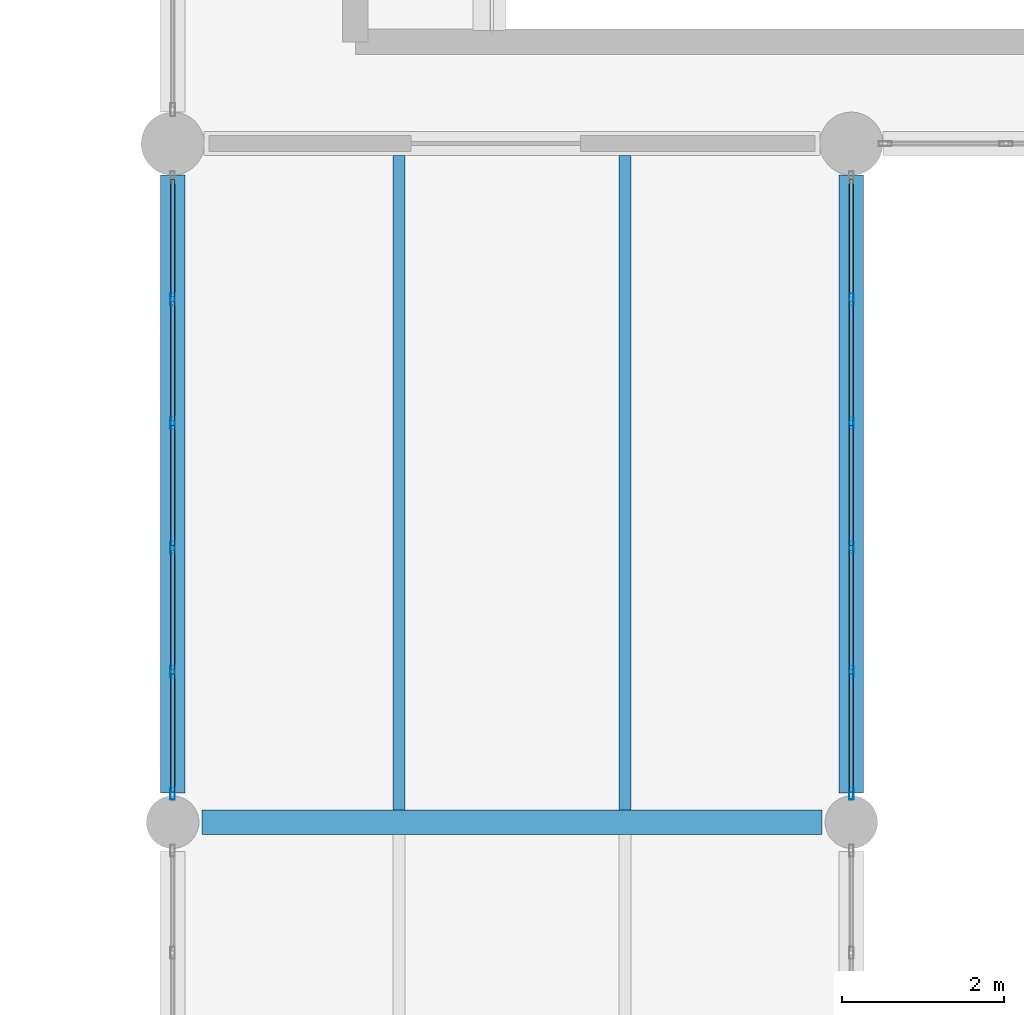
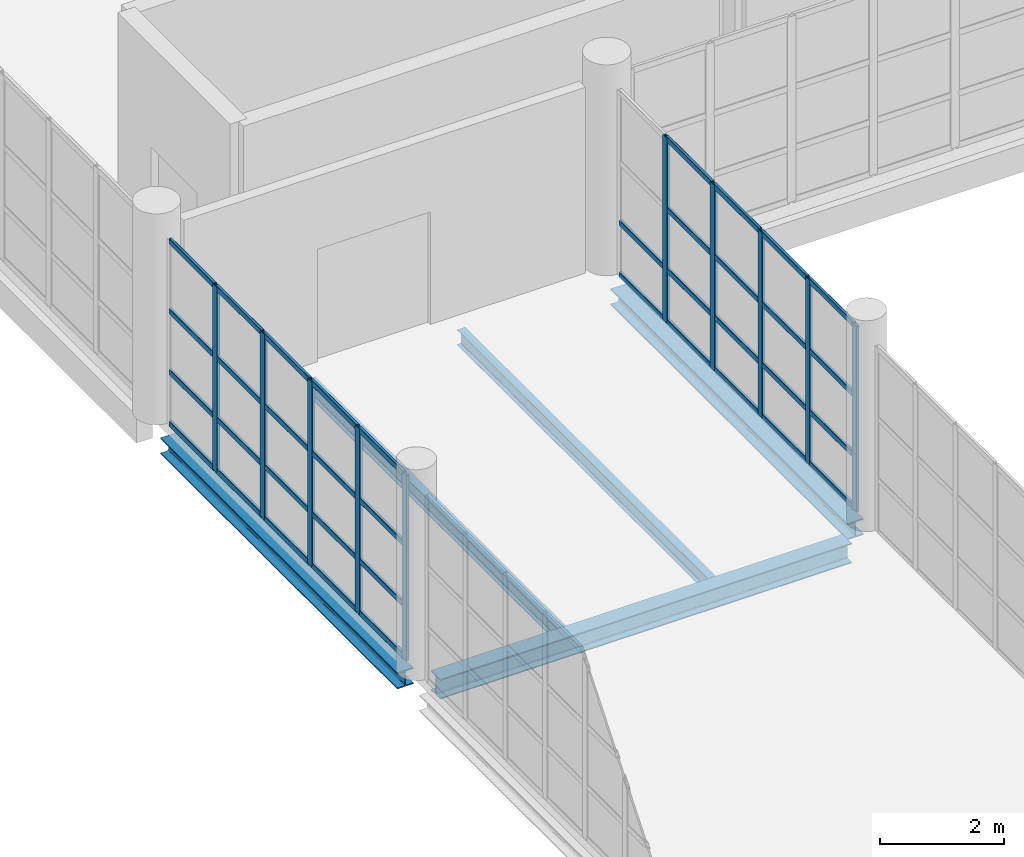
# One storey, part 60 of 177: 48 members, 5 beams, 2 elements without a shape of their own.
"""IFC4 building model written with IfcOpenShell, lengths in metres."""

from ifc_helpers import new_model, si_unit, direction, frame, origin, origin_2d, place, context, subcontext, project, spatial, hollow_rectangle, i_section, extrude, material, layer, layer_set, material_profile, profile_set, type_object, element, aggregate, save


model = new_model("IFC4")

# Units and contexts
model_context = context("Model", 3, precision=1e-05, world=origin(), true_north=direction((0.0, 1.0)))
body_context = subcontext(model_context, "Body", "Model", "MODEL_VIEW")
ifc_project = project(units=[si_unit("LENGTHUNIT", "METRE"), si_unit("AREAUNIT", "SQUARE_METRE"), si_unit("VOLUMEUNIT", "CUBIC_METRE"), si_unit("PLANEANGLEUNIT", "RADIAN"), si_unit("MASSUNIT", "GRAM", prefix="KILO"), si_unit("THERMODYNAMICTEMPERATUREUNIT", "KELVIN"), si_unit("POWERUNIT", "WATT")], contexts=[model_context])

# Site, building, storey
site_placement = place(None, origin())
site = spatial("IfcSite", under=ifc_project, at=site_placement, CompositionType="ELEMENT")
building_placement = place(site_placement, origin())
building = spatial("IfcBuilding", under=site, at=building_placement, Name="Mavoryth Pier Ferry Terminal", CompositionType="ELEMENT")
storey_placement = place(building_placement, frame((0.0, 0.0, 5.43994140625)))
storey = spatial("IfcBuildingStorey", under=building, at=storey_placement, Name="L01", CompositionType="ELEMENT", Elevation=5.43994140625)

# Beams
ifc_material_1 = material(Name="Steel S355J2", Category="steel")
ifc_material_profile_1 = material_profile(ifc_material_1, i_section(OverallWidth=0.300048828125, OverallDepth=0.389892578125, WebThickness=0.010986328125, FlangeThickness=0.01904296875, FilletRadius=0.027099609375, at=origin_2d()), Name="HEA 400", Category="steel")
ifc_profile_set_1 = profile_set([ifc_material_profile_1], Name="Steel S355J2 - HEA 400")
beam_type_1 = type_object("IfcBeamType", Name="Beam-Steel-HEA400", PredefinedType="BEAM", material=ifc_profile_set_1)
beam_placement = place(storey_placement, frame((50.760009765625, 64.0, -0.43505859375), z_axis=(1.0, 0.0, 0.0), x_axis=(0.0, 1.0, 0.0)))
element("IfcBeam", 1, at=beam_placement, inside=storey, type_object=beam_type_1, Name="Beam B01-SB04-0162", PredefinedType="BEAM", context=body_context, shape_type="SweptSolid", body=[
    extrude(i_section(OverallWidth=0.300048828125, OverallDepth=0.389892578125, WebThickness=0.010986328125, FlangeThickness=0.01904296875, FilletRadius=0.027099609375, at=origin_2d()), origin(), (0.0, 0.0, 1.0), 7.679931640625),
])
ifc_material_profile_2 = material_profile(ifc_material_1, i_section(OverallWidth=0.14990234375, OverallDepth=0.300048828125, WebThickness=0.007080078125, FlangeThickness=0.0107421875, FilletRadius=0.014892578125, at=origin_2d()), Name="IPE 300", Category="steel")
ifc_profile_set_2 = profile_set([ifc_material_profile_2], Name="Steel S355J2 - IPE 300")
beam_type_2 = type_object("IfcBeamType", Name="Joist-Steel-IPE300", PredefinedType="JOIST", material=ifc_profile_set_2)
for number, where, z_axis, x_axis, name in (
    (2, (53.199951171875, 64.14990234375, -0.389892578125), (0.0, 1.0, 0.0), (-1.0, 0.0, 0.0), "Beam B01-SJ04-0178"),
    (3, (56.0, 64.14990234375, -0.389892578125), (0.0, 1.0, 0.0), (-1.0, 0.0, 0.0), "Beam B01-SJ04-0179"),
):
    element("IfcBeam", number, at=place(storey_placement, frame(where, z_axis=z_axis, x_axis=x_axis)), inside=storey, type_object=beam_type_2, Name=name, PredefinedType="JOIST", context=body_context, shape_type="SweptSolid", body=[
        extrude(i_section(OverallWidth=0.14990234375, OverallDepth=0.300048828125, WebThickness=0.007080078125, FlangeThickness=0.0107421875, FilletRadius=0.014892578125, at=origin_2d()), origin(), (0.0, 0.0, 1.0), 8.10009765625),
    ])

# Curtain wall, members
ifc_material_2 = material(Name="Anodised Aluminium and Solar-Control Low-E Glass", Category="aluminium")
ifc_layer = layer(ifc_material_2, 0.1201171875, Name="Anodised Aluminium and Solar-Control Low-E Glass", Category="aluminium")
ifc_layer_set = layer_set([ifc_layer], Name="Anodised Aluminium and Solar-Control Low-E Glass - CW-BridgeLink-Mod1400")
curtain_wall_type = type_object("IfcCurtainWallType", Name="CW-BridgeLink-Mod1400", PredefinedType="USERDEFINED", material=ifc_layer_set)
curtain_wall_1_placement = place(storey_placement, origin())
curtain_wall_1 = element("IfcCurtainWall", 4, at=curtain_wall_1_placement, inside=storey, type_object=curtain_wall_type, Name="Curtain Wall CW-0111-108", ObjectType="UNITISED CURTAIN WALL", PredefinedType="USERDEFINED")
ifc_material_3 = material(Name="Anodised Aluminium EN AW-6063", Category="aluminium")
ifc_material_profile_3 = material_profile(ifc_material_3, hollow_rectangle(XDim=0.054931640625, YDim=0.14990234375, WallThickness=0.00390625, InnerFilletRadius=0.00390625, OuterFilletRadius=0.008056640625, at=origin_2d()), Name="AL-MULL 150x55x4", Category="aluminium")
ifc_profile_set_3 = profile_set([ifc_material_profile_3], Name="Anodised Aluminium EN AW-6063 - AL-MULL 150x55x4")
member_type_1 = type_object("IfcMemberType", Name="Mullion-Alum-150x55", PredefinedType="MULLION", material=ifc_profile_set_3)
member_1_placement = place(storey_placement, frame((50.39990234375, 70.472900390625, 0.0), z_axis=(0.0, 0.0, 1.0), x_axis=(1.0, 0.0, 0.0)))
member_1 = element("IfcMember", 5, at=member_1_placement, type_object=member_type_1, Name="CW08 mullion 2", PredefinedType="MULLION", context=body_context, shape_type="SweptSolid", body=[
    extrude(hollow_rectangle(XDim=0.054931640625, YDim=0.14990234375, WallThickness=0.00390625, InnerFilletRadius=0.00390625, OuterFilletRadius=0.008056640625, at=origin_2d()), origin(), (0.0, 0.0, 1.0), 3.655029296875),
])
member_2_placement = place(storey_placement, frame((50.39990234375, 68.93603515625, 0.0), z_axis=(0.0, 0.0, 1.0), x_axis=(1.0, 0.0, 0.0)))
member_2 = element("IfcMember", 6, at=member_2_placement, type_object=member_type_1, Name="CW08 mullion 3", PredefinedType="MULLION", context=body_context, shape_type="SweptSolid", body=[
    extrude(hollow_rectangle(XDim=0.054931640625, YDim=0.14990234375, WallThickness=0.00390625, InnerFilletRadius=0.00390625, OuterFilletRadius=0.008056640625, at=origin_2d()), origin(), (0.0, 0.0, 1.0), 3.655029296875),
])
member_3_placement = place(storey_placement, frame((50.39990234375, 67.39892578125, 0.0), z_axis=(0.0, 0.0, 1.0), x_axis=(1.0, 0.0, 0.0)))
member_3 = element("IfcMember", 7, at=member_3_placement, type_object=member_type_1, Name="CW08 mullion 4", PredefinedType="MULLION", context=body_context, shape_type="SweptSolid", body=[
    extrude(hollow_rectangle(XDim=0.054931640625, YDim=0.14990234375, WallThickness=0.00390625, InnerFilletRadius=0.00390625, OuterFilletRadius=0.008056640625, at=origin_2d()), origin(), (0.0, 0.0, 1.0), 3.655029296875),
])
member_4_placement = place(storey_placement, frame((50.39990234375, 65.862060546875, 0.0), z_axis=(0.0, 0.0, 1.0), x_axis=(1.0, 0.0, 0.0)))
member_4 = element("IfcMember", 8, at=member_4_placement, type_object=member_type_1, Name="CW08 mullion 5", PredefinedType="MULLION", context=body_context, shape_type="SweptSolid", body=[
    extrude(hollow_rectangle(XDim=0.054931640625, YDim=0.14990234375, WallThickness=0.00390625, InnerFilletRadius=0.00390625, OuterFilletRadius=0.008056640625, at=origin_2d()), origin(), (0.0, 0.0, 1.0), 3.655029296875),
])
member_5_placement = place(storey_placement, frame((50.39990234375, 64.3525390625, 0.0), z_axis=(0.0, 0.0, 1.0), x_axis=(1.0, 0.0, 0.0)))
member_5 = element("IfcMember", 9, at=member_5_placement, type_object=member_type_1, Name="CW08 mullion 6", PredefinedType="MULLION", context=body_context, shape_type="SweptSolid", body=[
    extrude(hollow_rectangle(XDim=0.054931640625, YDim=0.14990234375, WallThickness=0.00390625, InnerFilletRadius=0.00390625, OuterFilletRadius=0.008056640625, at=origin_2d()), origin(), (0.0, 0.0, 1.0), 3.655029296875),
])

curtain_wall_2_placement = place(storey_placement, origin())
curtain_wall_2 = element("IfcCurtainWall", 10, at=curtain_wall_2_placement, inside=storey, type_object=curtain_wall_type, Name="Curtain Wall CW-0111-109", ObjectType="UNITISED CURTAIN WALL", PredefinedType="USERDEFINED")
member_6_placement = place(storey_placement, frame((58.800048828125, 64.3525390625, 0.0), z_axis=(0.0, 0.0, 1.0), x_axis=(-1.0, 0.0, 0.0)))
member_6 = element("IfcMember", 11, at=member_6_placement, type_object=member_type_1, Name="CW08 mullion 1", PredefinedType="MULLION", context=body_context, shape_type="SweptSolid", body=[
    extrude(hollow_rectangle(XDim=0.054931640625, YDim=0.14990234375, WallThickness=0.00390625, InnerFilletRadius=0.00390625, OuterFilletRadius=0.008056640625, at=origin_2d()), origin(), (0.0, 0.0, 1.0), 3.655029296875),
])
member_7_placement = place(storey_placement, frame((58.800048828125, 65.862060546875, 0.0), z_axis=(0.0, 0.0, 1.0), x_axis=(-1.0, 0.0, 0.0)))
member_7 = element("IfcMember", 12, at=member_7_placement, type_object=member_type_1, Name="CW08 mullion 2", PredefinedType="MULLION", context=body_context, shape_type="SweptSolid", body=[
    extrude(hollow_rectangle(XDim=0.054931640625, YDim=0.14990234375, WallThickness=0.00390625, InnerFilletRadius=0.00390625, OuterFilletRadius=0.008056640625, at=origin_2d()), origin(), (0.0, 0.0, 1.0), 3.655029296875),
])
member_8_placement = place(storey_placement, frame((58.800048828125, 67.39892578125, 0.0), z_axis=(0.0, 0.0, 1.0), x_axis=(-1.0, 0.0, 0.0)))
member_8 = element("IfcMember", 13, at=member_8_placement, type_object=member_type_1, Name="CW08 mullion 3", PredefinedType="MULLION", context=body_context, shape_type="SweptSolid", body=[
    extrude(hollow_rectangle(XDim=0.054931640625, YDim=0.14990234375, WallThickness=0.00390625, InnerFilletRadius=0.00390625, OuterFilletRadius=0.008056640625, at=origin_2d()), origin(), (0.0, 0.0, 1.0), 3.655029296875),
])
member_9_placement = place(storey_placement, frame((58.800048828125, 68.93603515625, 0.0), z_axis=(0.0, 0.0, 1.0), x_axis=(-1.0, 0.0, 0.0)))
member_9 = element("IfcMember", 14, at=member_9_placement, type_object=member_type_1, Name="CW08 mullion 4", PredefinedType="MULLION", context=body_context, shape_type="SweptSolid", body=[
    extrude(hollow_rectangle(XDim=0.054931640625, YDim=0.14990234375, WallThickness=0.00390625, InnerFilletRadius=0.00390625, OuterFilletRadius=0.008056640625, at=origin_2d()), origin(), (0.0, 0.0, 1.0), 3.655029296875),
])
member_10_placement = place(storey_placement, frame((58.800048828125, 70.472900390625, 0.0), z_axis=(0.0, 0.0, 1.0), x_axis=(-1.0, 0.0, 0.0)))
member_10 = element("IfcMember", 15, at=member_10_placement, type_object=member_type_1, Name="CW08 mullion 5", PredefinedType="MULLION", context=body_context, shape_type="SweptSolid", body=[
    extrude(hollow_rectangle(XDim=0.054931640625, YDim=0.14990234375, WallThickness=0.00390625, InnerFilletRadius=0.00390625, OuterFilletRadius=0.008056640625, at=origin_2d()), origin(), (0.0, 0.0, 1.0), 3.655029296875),
])

# Beams
ifc_material_profile_4 = material_profile(ifc_material_1, i_section(OverallWidth=0.300048828125, OverallDepth=0.320068359375, WebThickness=0.011474609375, FlangeThickness=0.0205078125, FilletRadius=0.027099609375, at=origin_2d()), Name="HEB 320", Category="steel")
ifc_profile_set_4 = profile_set([ifc_material_profile_4], Name="Steel S355J2 - HEB 320")
beam_type_3 = type_object("IfcBeamType", Name="Spandrel-Steel-HEB320", PredefinedType="SPANDREL", material=ifc_profile_set_4)
for number, where, z_axis, x_axis, name in (
    (16, (50.39990234375, 64.360107421875, -0.39990234375), (0.0, 1.0, 0.0), (-1.0, 0.0, 0.0), "Beam B01-SP04-0167"),
    (17, (58.800048828125, 64.360107421875, -0.39990234375), (0.0, 1.0, 0.0), (-1.0, 0.0, 0.0), "Beam B01-SP04-0171"),
):
    element("IfcBeam", number, at=place(storey_placement, frame(where, z_axis=z_axis, x_axis=x_axis)), inside=storey, type_object=beam_type_3, Name=name, PredefinedType="SPANDREL", context=body_context, shape_type="SweptSolid", body=[
        extrude(i_section(OverallWidth=0.300048828125, OverallDepth=0.320068359375, WebThickness=0.011474609375, FlangeThickness=0.0205078125, FilletRadius=0.027099609375, at=origin_2d()), origin(), (0.0, 0.0, 1.0), 7.64990234375),
    ])

# Member
ifc_material_profile_5 = material_profile(ifc_material_3, hollow_rectangle(XDim=0.054931640625, YDim=0.110107421875, WallThickness=0.00390625, InnerFilletRadius=0.00390625, OuterFilletRadius=0.008056640625, at=origin_2d()), Name="AL-TRAN 110x55x4", Category="aluminium")
ifc_profile_set_5 = profile_set([ifc_material_profile_5], Name="Anodised Aluminium EN AW-6063 - AL-TRAN 110x55x4")
member_type_2 = type_object("IfcMemberType", Name="Transom-Alum-110x55", PredefinedType="USERDEFINED", material=ifc_profile_set_5)
member_11_placement = place(storey_placement, frame((50.39990234375, 71.955078125, 0.027587890625), z_axis=(0.0, -1.0, 0.0), x_axis=(1.0, 0.0, 0.0)))
member_11 = element("IfcMember", 18, at=member_11_placement, type_object=member_type_2, Name="CW08 transom 1.1", ObjectType="TRANSOM", PredefinedType="USERDEFINED", context=body_context, shape_type="SweptSolid", body=[
    extrude(hollow_rectangle(XDim=0.054931640625, YDim=0.110107421875, WallThickness=0.00390625, InnerFilletRadius=0.00390625, OuterFilletRadius=0.008056640625, at=origin_2d()), origin(), (0.0, 0.0, 1.0), 1.45458984375),
])

member_12_placement = place(storey_placement, frame((50.39990234375, 71.955078125, 1.050048828125), z_axis=(0.0, -1.0, 0.0), x_axis=(1.0, 0.0, 0.0)))
member_12 = element("IfcMember", 19, at=member_12_placement, type_object=member_type_2, Name="CW08 transom 1.2", ObjectType="TRANSOM", PredefinedType="USERDEFINED", context=body_context, shape_type="SweptSolid", body=[
    extrude(hollow_rectangle(XDim=0.054931640625, YDim=0.110107421875, WallThickness=0.00390625, InnerFilletRadius=0.00390625, OuterFilletRadius=0.008056640625, at=origin_2d()), origin(), (0.0, 0.0, 1.0), 1.45458984375),
])

member_13_placement = place(storey_placement, frame((50.39990234375, 71.955078125, 2.25), z_axis=(0.0, -1.0, 0.0), x_axis=(1.0, 0.0, 0.0)))
member_13 = element("IfcMember", 20, at=member_13_placement, type_object=member_type_2, Name="CW08 transom 1.3", ObjectType="TRANSOM", PredefinedType="USERDEFINED", context=body_context, shape_type="SweptSolid", body=[
    extrude(hollow_rectangle(XDim=0.054931640625, YDim=0.110107421875, WallThickness=0.00390625, InnerFilletRadius=0.00390625, OuterFilletRadius=0.008056640625, at=origin_2d()), origin(), (0.0, 0.0, 1.0), 1.45458984375),
])

member_14_placement = place(storey_placement, frame((50.39990234375, 71.955078125, 3.62744140625), z_axis=(0.0, -1.0, 0.0), x_axis=(1.0, 0.0, 0.0)))
member_14 = element("IfcMember", 21, at=member_14_placement, type_object=member_type_2, Name="CW08 transom 1.4", ObjectType="TRANSOM", PredefinedType="USERDEFINED", context=body_context, shape_type="SweptSolid", body=[
    extrude(hollow_rectangle(XDim=0.054931640625, YDim=0.110107421875, WallThickness=0.00390625, InnerFilletRadius=0.00390625, OuterFilletRadius=0.008056640625, at=origin_2d()), origin(), (0.0, 0.0, 1.0), 1.45458984375),
])

member_15_placement = place(storey_placement, frame((50.39990234375, 70.445556640625, 0.027587890625), z_axis=(0.0, -1.0, 0.0), x_axis=(1.0, 0.0, 0.0)))
member_15 = element("IfcMember", 22, at=member_15_placement, type_object=member_type_2, Name="CW08 transom 2.1", ObjectType="TRANSOM", PredefinedType="USERDEFINED", context=body_context, shape_type="SweptSolid", body=[
    extrude(hollow_rectangle(XDim=0.054931640625, YDim=0.110107421875, WallThickness=0.00390625, InnerFilletRadius=0.00390625, OuterFilletRadius=0.008056640625, at=origin_2d()), origin(), (0.0, 0.0, 1.0), 1.482177734375),
])

member_16_placement = place(storey_placement, frame((50.39990234375, 70.445556640625, 1.050048828125), z_axis=(0.0, -1.0, 0.0), x_axis=(1.0, 0.0, 0.0)))
member_16 = element("IfcMember", 23, at=member_16_placement, type_object=member_type_2, Name="CW08 transom 2.2", ObjectType="TRANSOM", PredefinedType="USERDEFINED", context=body_context, shape_type="SweptSolid", body=[
    extrude(hollow_rectangle(XDim=0.054931640625, YDim=0.110107421875, WallThickness=0.00390625, InnerFilletRadius=0.00390625, OuterFilletRadius=0.008056640625, at=origin_2d()), origin(), (0.0, 0.0, 1.0), 1.482177734375),
])

member_17_placement = place(storey_placement, frame((50.39990234375, 70.445556640625, 2.25), z_axis=(0.0, -1.0, 0.0), x_axis=(1.0, 0.0, 0.0)))
member_17 = element("IfcMember", 24, at=member_17_placement, type_object=member_type_2, Name="CW08 transom 2.3", ObjectType="TRANSOM", PredefinedType="USERDEFINED", context=body_context, shape_type="SweptSolid", body=[
    extrude(hollow_rectangle(XDim=0.054931640625, YDim=0.110107421875, WallThickness=0.00390625, InnerFilletRadius=0.00390625, OuterFilletRadius=0.008056640625, at=origin_2d()), origin(), (0.0, 0.0, 1.0), 1.482177734375),
])

member_18_placement = place(storey_placement, frame((50.39990234375, 70.445556640625, 3.62744140625), z_axis=(0.0, -1.0, 0.0), x_axis=(1.0, 0.0, 0.0)))
member_18 = element("IfcMember", 25, at=member_18_placement, type_object=member_type_2, Name="CW08 transom 2.4", ObjectType="TRANSOM", PredefinedType="USERDEFINED", context=body_context, shape_type="SweptSolid", body=[
    extrude(hollow_rectangle(XDim=0.054931640625, YDim=0.110107421875, WallThickness=0.00390625, InnerFilletRadius=0.00390625, OuterFilletRadius=0.008056640625, at=origin_2d()), origin(), (0.0, 0.0, 1.0), 1.482177734375),
])

member_19_placement = place(storey_placement, frame((50.39990234375, 68.908447265625, 0.027587890625), z_axis=(0.0, -1.0, 0.0), x_axis=(1.0, 0.0, 0.0)))
member_19 = element("IfcMember", 26, at=member_19_placement, type_object=member_type_2, Name="CW08 transom 3.1", ObjectType="TRANSOM", PredefinedType="USERDEFINED", context=body_context, shape_type="SweptSolid", body=[
    extrude(hollow_rectangle(XDim=0.054931640625, YDim=0.110107421875, WallThickness=0.00390625, InnerFilletRadius=0.00390625, OuterFilletRadius=0.008056640625, at=origin_2d()), origin(), (0.0, 0.0, 1.0), 1.48193359375),
])

member_20_placement = place(storey_placement, frame((50.39990234375, 68.908447265625, 1.050048828125), z_axis=(0.0, -1.0, 0.0), x_axis=(1.0, 0.0, 0.0)))
member_20 = element("IfcMember", 27, at=member_20_placement, type_object=member_type_2, Name="CW08 transom 3.2", ObjectType="TRANSOM", PredefinedType="USERDEFINED", context=body_context, shape_type="SweptSolid", body=[
    extrude(hollow_rectangle(XDim=0.054931640625, YDim=0.110107421875, WallThickness=0.00390625, InnerFilletRadius=0.00390625, OuterFilletRadius=0.008056640625, at=origin_2d()), origin(), (0.0, 0.0, 1.0), 1.48193359375),
])

member_21_placement = place(storey_placement, frame((50.39990234375, 68.908447265625, 2.25), z_axis=(0.0, -1.0, 0.0), x_axis=(1.0, 0.0, 0.0)))
member_21 = element("IfcMember", 28, at=member_21_placement, type_object=member_type_2, Name="CW08 transom 3.3", ObjectType="TRANSOM", PredefinedType="USERDEFINED", context=body_context, shape_type="SweptSolid", body=[
    extrude(hollow_rectangle(XDim=0.054931640625, YDim=0.110107421875, WallThickness=0.00390625, InnerFilletRadius=0.00390625, OuterFilletRadius=0.008056640625, at=origin_2d()), origin(), (0.0, 0.0, 1.0), 1.48193359375),
])

member_22_placement = place(storey_placement, frame((50.39990234375, 68.908447265625, 3.62744140625), z_axis=(0.0, -1.0, 0.0), x_axis=(1.0, 0.0, 0.0)))
member_22 = element("IfcMember", 29, at=member_22_placement, type_object=member_type_2, Name="CW08 transom 3.4", ObjectType="TRANSOM", PredefinedType="USERDEFINED", context=body_context, shape_type="SweptSolid", body=[
    extrude(hollow_rectangle(XDim=0.054931640625, YDim=0.110107421875, WallThickness=0.00390625, InnerFilletRadius=0.00390625, OuterFilletRadius=0.008056640625, at=origin_2d()), origin(), (0.0, 0.0, 1.0), 1.48193359375),
])

member_23_placement = place(storey_placement, frame((50.39990234375, 67.37158203125, 0.027587890625), z_axis=(0.0, -1.0, 0.0), x_axis=(1.0, 0.0, 0.0)))
member_23 = element("IfcMember", 30, at=member_23_placement, type_object=member_type_2, Name="CW08 transom 4.1", ObjectType="TRANSOM", PredefinedType="USERDEFINED", context=body_context, shape_type="SweptSolid", body=[
    extrude(hollow_rectangle(XDim=0.054931640625, YDim=0.110107421875, WallThickness=0.00390625, InnerFilletRadius=0.00390625, OuterFilletRadius=0.008056640625, at=origin_2d()), origin(), (0.0, 0.0, 1.0), 1.482177734375),
])

member_24_placement = place(storey_placement, frame((50.39990234375, 67.37158203125, 1.050048828125), z_axis=(0.0, -1.0, 0.0), x_axis=(1.0, 0.0, 0.0)))
member_24 = element("IfcMember", 31, at=member_24_placement, type_object=member_type_2, Name="CW08 transom 4.2", ObjectType="TRANSOM", PredefinedType="USERDEFINED", context=body_context, shape_type="SweptSolid", body=[
    extrude(hollow_rectangle(XDim=0.054931640625, YDim=0.110107421875, WallThickness=0.00390625, InnerFilletRadius=0.00390625, OuterFilletRadius=0.008056640625, at=origin_2d()), origin(), (0.0, 0.0, 1.0), 1.482177734375),
])

member_25_placement = place(storey_placement, frame((50.39990234375, 67.37158203125, 2.25), z_axis=(0.0, -1.0, 0.0), x_axis=(1.0, 0.0, 0.0)))
member_25 = element("IfcMember", 32, at=member_25_placement, type_object=member_type_2, Name="CW08 transom 4.3", ObjectType="TRANSOM", PredefinedType="USERDEFINED", context=body_context, shape_type="SweptSolid", body=[
    extrude(hollow_rectangle(XDim=0.054931640625, YDim=0.110107421875, WallThickness=0.00390625, InnerFilletRadius=0.00390625, OuterFilletRadius=0.008056640625, at=origin_2d()), origin(), (0.0, 0.0, 1.0), 1.482177734375),
])

member_26_placement = place(storey_placement, frame((50.39990234375, 67.37158203125, 3.62744140625), z_axis=(0.0, -1.0, 0.0), x_axis=(1.0, 0.0, 0.0)))
member_26 = element("IfcMember", 33, at=member_26_placement, type_object=member_type_2, Name="CW08 transom 4.4", ObjectType="TRANSOM", PredefinedType="USERDEFINED", context=body_context, shape_type="SweptSolid", body=[
    extrude(hollow_rectangle(XDim=0.054931640625, YDim=0.110107421875, WallThickness=0.00390625, InnerFilletRadius=0.00390625, OuterFilletRadius=0.008056640625, at=origin_2d()), origin(), (0.0, 0.0, 1.0), 1.482177734375),
])

member_27_placement = place(storey_placement, frame((50.39990234375, 65.83447265625, 0.027587890625), z_axis=(0.0, -1.0, 0.0), x_axis=(1.0, 0.0, 0.0)))
member_27 = element("IfcMember", 34, at=member_27_placement, type_object=member_type_2, Name="CW08 transom 5.1", ObjectType="TRANSOM", PredefinedType="USERDEFINED", context=body_context, shape_type="SweptSolid", body=[
    extrude(hollow_rectangle(XDim=0.054931640625, YDim=0.110107421875, WallThickness=0.00390625, InnerFilletRadius=0.00390625, OuterFilletRadius=0.008056640625, at=origin_2d()), origin(), (0.0, 0.0, 1.0), 1.45458984375),
])

member_28_placement = place(storey_placement, frame((50.39990234375, 65.83447265625, 1.050048828125), z_axis=(0.0, -1.0, 0.0), x_axis=(1.0, 0.0, 0.0)))
member_28 = element("IfcMember", 35, at=member_28_placement, type_object=member_type_2, Name="CW08 transom 5.2", ObjectType="TRANSOM", PredefinedType="USERDEFINED", context=body_context, shape_type="SweptSolid", body=[
    extrude(hollow_rectangle(XDim=0.054931640625, YDim=0.110107421875, WallThickness=0.00390625, InnerFilletRadius=0.00390625, OuterFilletRadius=0.008056640625, at=origin_2d()), origin(), (0.0, 0.0, 1.0), 1.45458984375),
])

member_29_placement = place(storey_placement, frame((50.39990234375, 65.83447265625, 2.25), z_axis=(0.0, -1.0, 0.0), x_axis=(1.0, 0.0, 0.0)))
member_29 = element("IfcMember", 36, at=member_29_placement, type_object=member_type_2, Name="CW08 transom 5.3", ObjectType="TRANSOM", PredefinedType="USERDEFINED", context=body_context, shape_type="SweptSolid", body=[
    extrude(hollow_rectangle(XDim=0.054931640625, YDim=0.110107421875, WallThickness=0.00390625, InnerFilletRadius=0.00390625, OuterFilletRadius=0.008056640625, at=origin_2d()), origin(), (0.0, 0.0, 1.0), 1.45458984375),
])

member_30_placement = place(storey_placement, frame((50.39990234375, 65.83447265625, 3.62744140625), z_axis=(0.0, -1.0, 0.0), x_axis=(1.0, 0.0, 0.0)))
member_30 = element("IfcMember", 37, at=member_30_placement, type_object=member_type_2, Name="CW08 transom 5.4", ObjectType="TRANSOM", PredefinedType="USERDEFINED", context=body_context, shape_type="SweptSolid", body=[
    extrude(hollow_rectangle(XDim=0.054931640625, YDim=0.110107421875, WallThickness=0.00390625, InnerFilletRadius=0.00390625, OuterFilletRadius=0.008056640625, at=origin_2d()), origin(), (0.0, 0.0, 1.0), 1.45458984375),
])

aggregate(curtain_wall_1, [member_1, member_2, member_3, member_4, member_5, member_11, member_12, member_13, member_14, member_15, member_16, member_17, member_18, member_19, member_20, member_21, member_22, member_23, member_24, member_25, member_26, member_27, member_28, member_29, member_30])

member_31_placement = place(storey_placement, frame((58.800048828125, 64.3798828125, 0.027587890625), z_axis=(0.0, 1.0, 0.0), x_axis=(-1.0, 0.0, 0.0)))
member_31 = element("IfcMember", 38, at=member_31_placement, type_object=member_type_2, Name="CW08 transom 1.1", ObjectType="TRANSOM", PredefinedType="USERDEFINED", context=body_context, shape_type="SweptSolid", body=[
    extrude(hollow_rectangle(XDim=0.054931640625, YDim=0.110107421875, WallThickness=0.00390625, InnerFilletRadius=0.00390625, OuterFilletRadius=0.008056640625, at=origin_2d()), origin(), (0.0, 0.0, 1.0), 1.45458984375),
])

member_32_placement = place(storey_placement, frame((58.800048828125, 64.3798828125, 1.050048828125), z_axis=(0.0, 1.0, 0.0), x_axis=(-1.0, 0.0, 0.0)))
member_32 = element("IfcMember", 39, at=member_32_placement, type_object=member_type_2, Name="CW08 transom 1.2", ObjectType="TRANSOM", PredefinedType="USERDEFINED", context=body_context, shape_type="SweptSolid", body=[
    extrude(hollow_rectangle(XDim=0.054931640625, YDim=0.110107421875, WallThickness=0.00390625, InnerFilletRadius=0.00390625, OuterFilletRadius=0.008056640625, at=origin_2d()), origin(), (0.0, 0.0, 1.0), 1.45458984375),
])

member_33_placement = place(storey_placement, frame((58.800048828125, 64.3798828125, 2.25), z_axis=(0.0, 1.0, 0.0), x_axis=(-1.0, 0.0, 0.0)))
member_33 = element("IfcMember", 40, at=member_33_placement, type_object=member_type_2, Name="CW08 transom 1.3", ObjectType="TRANSOM", PredefinedType="USERDEFINED", context=body_context, shape_type="SweptSolid", body=[
    extrude(hollow_rectangle(XDim=0.054931640625, YDim=0.110107421875, WallThickness=0.00390625, InnerFilletRadius=0.00390625, OuterFilletRadius=0.008056640625, at=origin_2d()), origin(), (0.0, 0.0, 1.0), 1.45458984375),
])

member_34_placement = place(storey_placement, frame((58.800048828125, 64.3798828125, 3.62744140625), z_axis=(0.0, 1.0, 0.0), x_axis=(-1.0, 0.0, 0.0)))
member_34 = element("IfcMember", 41, at=member_34_placement, type_object=member_type_2, Name="CW08 transom 1.4", ObjectType="TRANSOM", PredefinedType="USERDEFINED", context=body_context, shape_type="SweptSolid", body=[
    extrude(hollow_rectangle(XDim=0.054931640625, YDim=0.110107421875, WallThickness=0.00390625, InnerFilletRadius=0.00390625, OuterFilletRadius=0.008056640625, at=origin_2d()), origin(), (0.0, 0.0, 1.0), 1.45458984375),
])

member_35_placement = place(storey_placement, frame((58.800048828125, 65.889404296875, 0.027587890625), z_axis=(0.0, 1.0, 0.0), x_axis=(-1.0, 0.0, 0.0)))
member_35 = element("IfcMember", 42, at=member_35_placement, type_object=member_type_2, Name="CW08 transom 2.1", ObjectType="TRANSOM", PredefinedType="USERDEFINED", context=body_context, shape_type="SweptSolid", body=[
    extrude(hollow_rectangle(XDim=0.054931640625, YDim=0.110107421875, WallThickness=0.00390625, InnerFilletRadius=0.00390625, OuterFilletRadius=0.008056640625, at=origin_2d()), origin(), (0.0, 0.0, 1.0), 1.482177734375),
])

member_36_placement = place(storey_placement, frame((58.800048828125, 65.889404296875, 1.050048828125), z_axis=(0.0, 1.0, 0.0), x_axis=(-1.0, 0.0, 0.0)))
member_36 = element("IfcMember", 43, at=member_36_placement, type_object=member_type_2, Name="CW08 transom 2.2", ObjectType="TRANSOM", PredefinedType="USERDEFINED", context=body_context, shape_type="SweptSolid", body=[
    extrude(hollow_rectangle(XDim=0.054931640625, YDim=0.110107421875, WallThickness=0.00390625, InnerFilletRadius=0.00390625, OuterFilletRadius=0.008056640625, at=origin_2d()), origin(), (0.0, 0.0, 1.0), 1.482177734375),
])

member_37_placement = place(storey_placement, frame((58.800048828125, 65.889404296875, 2.25), z_axis=(0.0, 1.0, 0.0), x_axis=(-1.0, 0.0, 0.0)))
member_37 = element("IfcMember", 44, at=member_37_placement, type_object=member_type_2, Name="CW08 transom 2.3", ObjectType="TRANSOM", PredefinedType="USERDEFINED", context=body_context, shape_type="SweptSolid", body=[
    extrude(hollow_rectangle(XDim=0.054931640625, YDim=0.110107421875, WallThickness=0.00390625, InnerFilletRadius=0.00390625, OuterFilletRadius=0.008056640625, at=origin_2d()), origin(), (0.0, 0.0, 1.0), 1.482177734375),
])

member_38_placement = place(storey_placement, frame((58.800048828125, 65.889404296875, 3.62744140625), z_axis=(0.0, 1.0, 0.0), x_axis=(-1.0, 0.0, 0.0)))
member_38 = element("IfcMember", 45, at=member_38_placement, type_object=member_type_2, Name="CW08 transom 2.4", ObjectType="TRANSOM", PredefinedType="USERDEFINED", context=body_context, shape_type="SweptSolid", body=[
    extrude(hollow_rectangle(XDim=0.054931640625, YDim=0.110107421875, WallThickness=0.00390625, InnerFilletRadius=0.00390625, OuterFilletRadius=0.008056640625, at=origin_2d()), origin(), (0.0, 0.0, 1.0), 1.482177734375),
])

member_39_placement = place(storey_placement, frame((58.800048828125, 67.426513671875, 0.027587890625), z_axis=(0.0, 1.0, 0.0), x_axis=(-1.0, 0.0, 0.0)))
member_39 = element("IfcMember", 46, at=member_39_placement, type_object=member_type_2, Name="CW08 transom 3.1", ObjectType="TRANSOM", PredefinedType="USERDEFINED", context=body_context, shape_type="SweptSolid", body=[
    extrude(hollow_rectangle(XDim=0.054931640625, YDim=0.110107421875, WallThickness=0.00390625, InnerFilletRadius=0.00390625, OuterFilletRadius=0.008056640625, at=origin_2d()), origin(), (0.0, 0.0, 1.0), 1.48193359375),
])

member_40_placement = place(storey_placement, frame((58.800048828125, 67.426513671875, 1.050048828125), z_axis=(0.0, 1.0, 0.0), x_axis=(-1.0, 0.0, 0.0)))
member_40 = element("IfcMember", 47, at=member_40_placement, type_object=member_type_2, Name="CW08 transom 3.2", ObjectType="TRANSOM", PredefinedType="USERDEFINED", context=body_context, shape_type="SweptSolid", body=[
    extrude(hollow_rectangle(XDim=0.054931640625, YDim=0.110107421875, WallThickness=0.00390625, InnerFilletRadius=0.00390625, OuterFilletRadius=0.008056640625, at=origin_2d()), origin(), (0.0, 0.0, 1.0), 1.48193359375),
])

member_41_placement = place(storey_placement, frame((58.800048828125, 67.426513671875, 2.25), z_axis=(0.0, 1.0, 0.0), x_axis=(-1.0, 0.0, 0.0)))
member_41 = element("IfcMember", 48, at=member_41_placement, type_object=member_type_2, Name="CW08 transom 3.3", ObjectType="TRANSOM", PredefinedType="USERDEFINED", context=body_context, shape_type="SweptSolid", body=[
    extrude(hollow_rectangle(XDim=0.054931640625, YDim=0.110107421875, WallThickness=0.00390625, InnerFilletRadius=0.00390625, OuterFilletRadius=0.008056640625, at=origin_2d()), origin(), (0.0, 0.0, 1.0), 1.48193359375),
])

member_42_placement = place(storey_placement, frame((58.800048828125, 67.426513671875, 3.62744140625), z_axis=(0.0, 1.0, 0.0), x_axis=(-1.0, 0.0, 0.0)))
member_42 = element("IfcMember", 49, at=member_42_placement, type_object=member_type_2, Name="CW08 transom 3.4", ObjectType="TRANSOM", PredefinedType="USERDEFINED", context=body_context, shape_type="SweptSolid", body=[
    extrude(hollow_rectangle(XDim=0.054931640625, YDim=0.110107421875, WallThickness=0.00390625, InnerFilletRadius=0.00390625, OuterFilletRadius=0.008056640625, at=origin_2d()), origin(), (0.0, 0.0, 1.0), 1.48193359375),
])

member_43_placement = place(storey_placement, frame((58.800048828125, 68.96337890625, 0.027587890625), z_axis=(0.0, 1.0, 0.0), x_axis=(-1.0, 0.0, 0.0)))
member_43 = element("IfcMember", 50, at=member_43_placement, type_object=member_type_2, Name="CW08 transom 4.1", ObjectType="TRANSOM", PredefinedType="USERDEFINED", context=body_context, shape_type="SweptSolid", body=[
    extrude(hollow_rectangle(XDim=0.054931640625, YDim=0.110107421875, WallThickness=0.00390625, InnerFilletRadius=0.00390625, OuterFilletRadius=0.008056640625, at=origin_2d()), origin(), (0.0, 0.0, 1.0), 1.482177734375),
])

member_44_placement = place(storey_placement, frame((58.800048828125, 68.96337890625, 1.050048828125), z_axis=(0.0, 1.0, 0.0), x_axis=(-1.0, 0.0, 0.0)))
member_44 = element("IfcMember", 51, at=member_44_placement, type_object=member_type_2, Name="CW08 transom 4.2", ObjectType="TRANSOM", PredefinedType="USERDEFINED", context=body_context, shape_type="SweptSolid", body=[
    extrude(hollow_rectangle(XDim=0.054931640625, YDim=0.110107421875, WallThickness=0.00390625, InnerFilletRadius=0.00390625, OuterFilletRadius=0.008056640625, at=origin_2d()), origin(), (0.0, 0.0, 1.0), 1.482177734375),
])

member_45_placement = place(storey_placement, frame((58.800048828125, 68.96337890625, 2.25), z_axis=(0.0, 1.0, 0.0), x_axis=(-1.0, 0.0, 0.0)))
member_45 = element("IfcMember", 52, at=member_45_placement, type_object=member_type_2, Name="CW08 transom 4.3", ObjectType="TRANSOM", PredefinedType="USERDEFINED", context=body_context, shape_type="SweptSolid", body=[
    extrude(hollow_rectangle(XDim=0.054931640625, YDim=0.110107421875, WallThickness=0.00390625, InnerFilletRadius=0.00390625, OuterFilletRadius=0.008056640625, at=origin_2d()), origin(), (0.0, 0.0, 1.0), 1.482177734375),
])

member_46_placement = place(storey_placement, frame((58.800048828125, 68.96337890625, 3.62744140625), z_axis=(0.0, 1.0, 0.0), x_axis=(-1.0, 0.0, 0.0)))
member_46 = element("IfcMember", 53, at=member_46_placement, type_object=member_type_2, Name="CW08 transom 4.4", ObjectType="TRANSOM", PredefinedType="USERDEFINED", context=body_context, shape_type="SweptSolid", body=[
    extrude(hollow_rectangle(XDim=0.054931640625, YDim=0.110107421875, WallThickness=0.00390625, InnerFilletRadius=0.00390625, OuterFilletRadius=0.008056640625, at=origin_2d()), origin(), (0.0, 0.0, 1.0), 1.482177734375),
])

member_47_placement = place(storey_placement, frame((58.800048828125, 70.50048828125, 0.027587890625), z_axis=(0.0, 1.0, 0.0), x_axis=(-1.0, 0.0, 0.0)))
member_47 = element("IfcMember", 54, at=member_47_placement, type_object=member_type_2, Name="CW08 transom 5.1", ObjectType="TRANSOM", PredefinedType="USERDEFINED", context=body_context, shape_type="SweptSolid", body=[
    extrude(hollow_rectangle(XDim=0.054931640625, YDim=0.110107421875, WallThickness=0.00390625, InnerFilletRadius=0.00390625, OuterFilletRadius=0.008056640625, at=origin_2d()), origin(), (0.0, 0.0, 1.0), 1.45458984375),
])

member_48_placement = place(storey_placement, frame((58.800048828125, 70.50048828125, 1.050048828125), z_axis=(0.0, 1.0, 0.0), x_axis=(-1.0, 0.0, 0.0)))
member_48 = element("IfcMember", 55, at=member_48_placement, type_object=member_type_2, Name="CW08 transom 5.2", ObjectType="TRANSOM", PredefinedType="USERDEFINED", context=body_context, shape_type="SweptSolid", body=[
    extrude(hollow_rectangle(XDim=0.054931640625, YDim=0.110107421875, WallThickness=0.00390625, InnerFilletRadius=0.00390625, OuterFilletRadius=0.008056640625, at=origin_2d()), origin(), (0.0, 0.0, 1.0), 1.45458984375),
])

aggregate(curtain_wall_2, [member_6, member_7, member_8, member_9, member_10, member_31, member_32, member_33, member_34, member_35, member_36, member_37, member_38, member_39, member_40, member_41, member_42, member_43, member_44, member_45, member_46, member_47, member_48])

save(model, "model.ifc")
